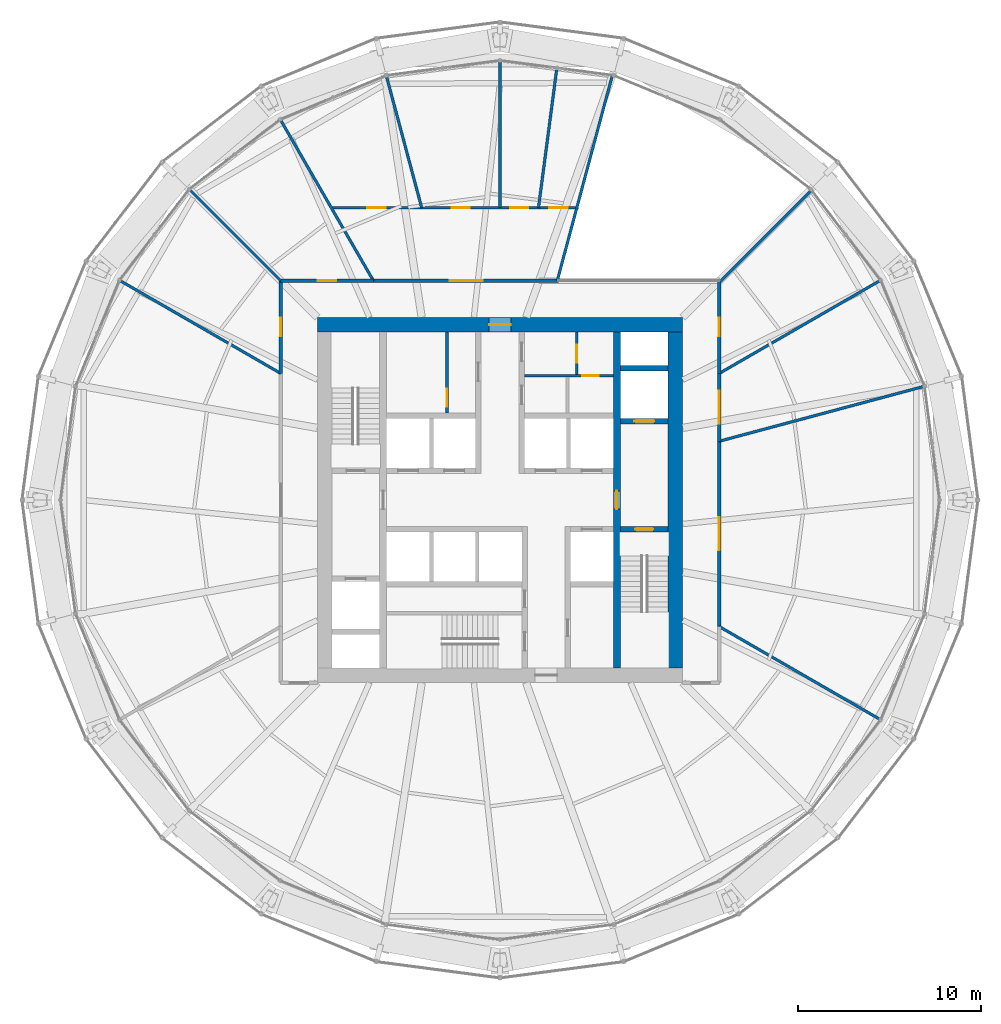
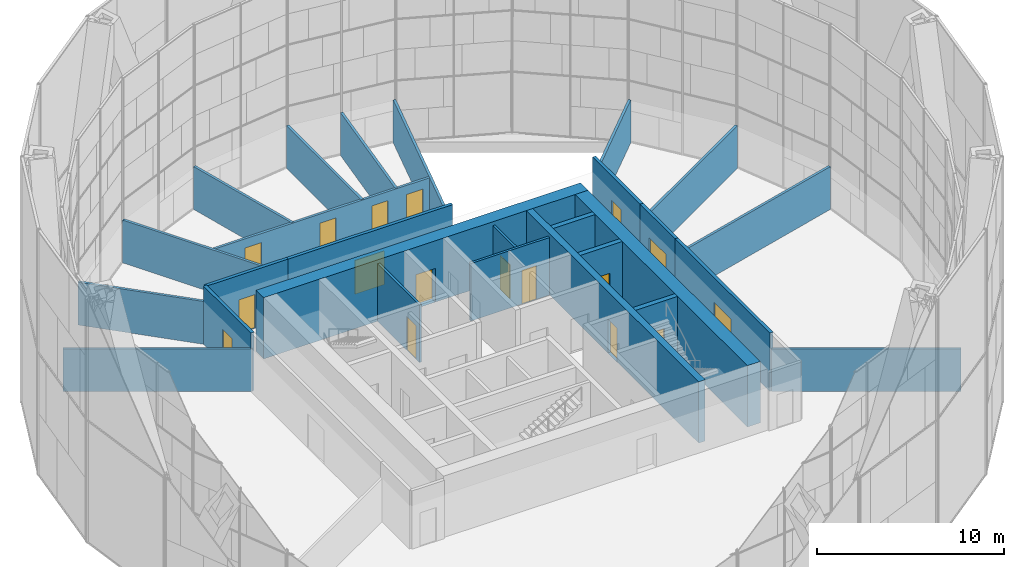
# One storey, part 24 of 26: 27 walls, 17 doors, 17 openings.
"""IFC4 building model written with IfcOpenShell, lengths in metres."""

from ifc_helpers import new_model, si_unit, direction, frame, frame_2d, origin, place, context, subcontext, project, spatial, rectangle, extrude, material, layer, layer_set, type_object, element, fill, save


model = new_model("IFC4")

# Units and contexts
model_context = context("Model", 3, precision=1e-05, world=origin(), true_north=direction((0.0, 1.0)))
body_context = subcontext(model_context, "Body", "Model", "MODEL_VIEW")
ifc_project = project(units=[si_unit("LENGTHUNIT", "METRE"), si_unit("AREAUNIT", "SQUARE_METRE"), si_unit("VOLUMEUNIT", "CUBIC_METRE"), si_unit("PLANEANGLEUNIT", "RADIAN"), si_unit("MASSUNIT", "GRAM", prefix="KILO")], contexts=[model_context])

# Site, building, storey
site_placement = place(None, origin())
site = spatial("IfcSite", under=ifc_project, at=site_placement, CompositionType="ELEMENT")
building_placement = place(site_placement, origin())
building = spatial("IfcBuilding", under=site, at=building_placement, Name="Golbaran Civic Tower", CompositionType="ELEMENT")
storey_placement = place(building_placement, frame((0.0, 0.0, 69.0)))
storey = spatial("IfcBuildingStorey", under=building, at=storey_placement, Name="L16", CompositionType="ELEMENT", Elevation=69.0)

# Wall, opening, door
ifc_material_1 = material(Name="Concrete block", Category="concrete")
ifc_layer_1 = layer(ifc_material_1, 0.14990234375, Name="Concrete block")
ifc_layer_set_1 = layer_set([ifc_layer_1], Name="Concrete block")
wall_type_1 = type_object("IfcWallType", Name="BLOCKWORK PARTITION 150", PredefinedType="PARTITIONING", material=ifc_layer_set_1)
wall_1_placement = place(storey_placement, frame((1.35009765625, 6.800048828125, 0.0), z_axis=(0.0, 0.0, 1.0), x_axis=(1.0, 0.0, 0.0)))
wall_1 = element("IfcWall", 1, at=wall_1_placement, inside=storey, type_object=wall_type_1, Name="Toilet block partition TN1 L16", PredefinedType="PARTITIONING", context=body_context, shape_type="SweptSolid", body=[
    extrude(rectangle(XDim=4.849853515625, YDim=0.14990234375, at=frame_2d((2.4248046875, 0.0))), origin(), (0.0, 0.0, 1.0), 3.75),
])
opening_1_placement = place(wall_1_placement, frame((3.14990234375, 0.0, 0.0)))
opening_1 = element("IfcOpeningElement", 2, at=opening_1_placement, cuts=wall_1, Name="Opening L16.CLN", PredefinedType="OPENING", context=body_context, shape_type="SweptSolid", body=[
    extrude(rectangle(XDim=0.89990234375, YDim=2.199951171875, at=frame_2d((0.449951171875, 1.10009765625))), frame((0.0, 0.0849609375, 0.0), z_axis=(0.0, -1.0, 0.0), x_axis=(1.0, 0.0, 0.0)), (0.0, 0.0, 1.0), 0.169921875),
])
ifc_material_2 = material(Name="Timber door set in steel frame", Category="steel")
door_type_1 = type_object("IfcDoorType", Name="RISER DOOR 900x2200", OperationType="SINGLE_SWING_LEFT", PredefinedType="DOOR", material=ifc_material_2)
door_1_placement = place(opening_1_placement, origin())
door_1 = element("IfcDoor", 3, at=door_1_placement, inside=storey, type_object=door_type_1, Name="Sanitary Supplies Store door", OperationType="SINGLE_SWING_RIGHT", OverallHeight=2.199951171875, OverallWidth=0.89990234375, PredefinedType="DOOR", context=body_context, shape_type="SweptSolid", body=[
    extrude(rectangle(XDim=0.89990234375, YDim=2.199951171875, at=frame_2d((0.449951171875, 1.10009765625))), frame((0.0, 0.02490234375, 0.0), z_axis=(0.0, -1.0, 0.0), x_axis=(1.0, 0.0, 0.0)), (0.0, 0.0, 1.0), 0.050048828125),
])
fill(opening_1, door_1)

ifc_material_3 = material(Name="Concrete C50/60", Category="concrete")
ifc_layer_2 = layer(ifc_material_3, 0.39990234375, Name="Concrete C50/60")
ifc_layer_set_2 = layer_set([ifc_layer_2], Name="Concrete C50/60")
wall_type_2 = type_object("IfcWallType", Name="CORE WALL CONCRETE 400", PredefinedType="SOLIDWALL", material=ifc_layer_set_2)
wall_2_placement = place(storey_placement, frame((6.39990234375, 9.199951171875, 0.0), z_axis=(0.0, 0.0, 1.0), x_axis=(0.0, -1.0, 0.0)))
wall_2 = element("IfcWall", 4, at=wall_2_placement, inside=storey, type_object=wall_type_2, Name="Core wall IE L16", PredefinedType="SOLIDWALL", context=body_context, shape_type="SweptSolid", body=[
    extrude(rectangle(XDim=18.39990234375, YDim=0.39990234375, at=frame_2d((9.199951171875, 0.0))), origin(), (0.0, 0.0, 1.0), 4.0),
])
opening_2_placement = place(wall_2_placement, frame((8.699951171875, 0.0, 0.0)))
opening_2 = element("IfcOpeningElement", 5, at=opening_2_placement, cuts=wall_2, Name="Opening L16.FL2", PredefinedType="OPENING", context=body_context, shape_type="SweptSolid", body=[
    extrude(rectangle(XDim=1.0, YDim=2.199951171875, at=frame_2d((0.5, 1.10009765625))), frame((0.0, 0.2099609375, 0.0), z_axis=(0.0, -1.0, 0.0), x_axis=(1.0, 0.0, 0.0)), (0.0, 0.0, 1.0), 0.419921875),
])
door_type_2 = type_object("IfcDoorType", Name="STAIR DOOR 1000x2200", OperationType="SINGLE_SWING_LEFT", PredefinedType="DOOR", material=ifc_material_2)
door_2_placement = place(opening_2_placement, origin())
door_2 = element("IfcDoor", 6, at=door_2_placement, inside=storey, type_object=door_type_2, Name="Fire-fighting lobby FL2 door", OperationType="SINGLE_SWING_RIGHT", OverallHeight=2.199951171875, OverallWidth=1.0, PredefinedType="DOOR", context=body_context, shape_type="SweptSolid", body=[
    extrude(rectangle(XDim=1.0, YDim=2.199951171875, at=frame_2d((0.5, 1.10009765625))), frame((0.0, 0.02490234375, 0.0), z_axis=(0.0, -1.0, 0.0), x_axis=(1.0, 0.0, 0.0)), (0.0, 0.0, 1.0), 0.050048828125),
])
fill(opening_2, door_2)

ifc_layer_3 = layer(ifc_material_3, 0.800048828125, Name="Concrete C50/60")
ifc_layer_set_3 = layer_set([ifc_layer_3], Name="Concrete C50/60")
wall_type_3 = type_object("IfcWallType", Name="CORE WALL CONCRETE 800", PredefinedType="SOLIDWALL", material=ifc_layer_set_3)
wall_3_placement = place(storey_placement, frame((-10.0, 9.60009765625, 0.0), z_axis=(0.0, 0.0, 1.0), x_axis=(1.0, 0.0, 0.0)))
wall_3 = element("IfcWall", 7, at=wall_3_placement, inside=storey, type_object=wall_type_3, Name="Core wall CN L16", PredefinedType="SOLIDWALL", context=body_context, shape_type="SweptSolid", body=[
    extrude(rectangle(XDim=20.0, YDim=0.800048828125, at=frame_2d((10.0, 0.0))), origin(), (0.0, 0.0, 1.0), 4.0),
])
opening_3_placement = place(wall_3_placement, frame((9.39990234375, 0.0, 0.0)))
opening_3 = element("IfcOpeningElement", 8, at=opening_3_placement, cuts=wall_3, Name="Opening L16.CN", PredefinedType="OPENING", context=body_context, shape_type="SweptSolid", body=[
    extrude(rectangle(XDim=1.199951171875, YDim=2.199951171875, at=frame_2d((0.60009765625, 1.10009765625))), frame((0.0, 0.409912109375, 0.0), z_axis=(0.0, -1.0, 0.0), x_axis=(1.0, 0.0, 0.0)), (0.0, 0.0, 1.0), 0.820068359375),
])
door_type_3 = type_object("IfcDoorType", Name="CORE DOOR 1200x2200", OperationType="DOUBLE_DOOR_SINGLE_SWING", PredefinedType="DOOR", material=ifc_material_2)
door_3_placement = place(opening_3_placement, origin())
door_3 = element("IfcDoor", 9, at=door_3_placement, inside=storey, type_object=door_type_3, Name="Core door north", OperationType="DOUBLE_DOOR_SINGLE_SWING", OverallHeight=2.199951171875, OverallWidth=1.199951171875, PredefinedType="DOOR", context=body_context, shape_type="SweptSolid", body=[
    extrude(rectangle(XDim=1.199951171875, YDim=2.199951171875, at=frame_2d((0.60009765625, 1.10009765625))), frame((0.0, 0.02490234375, 0.0), z_axis=(0.0, -1.0, 0.0), x_axis=(1.0, 0.0, 0.0)), (0.0, 0.0, 1.0), 0.050048828125),
])
fill(opening_3, door_3)

# Wall
wall_4_placement = place(storey_placement, frame((9.60009765625, -9.199951171875, 0.0), z_axis=(0.0, 0.0, 1.0), x_axis=(0.0, 1.0, 0.0)))
element("IfcWall", 10, at=wall_4_placement, inside=storey, type_object=wall_type_3, Name="Core wall CE L16", PredefinedType="SOLIDWALL", context=body_context, shape_type="SweptSolid", body=[
    extrude(rectangle(XDim=18.39990234375, YDim=0.800048828125, at=frame_2d((9.199951171875, 0.0))), origin(), (0.0, 0.0, 1.0), 4.0),
])

# Wall, opening, door
ifc_material_4 = material(Name="Gypsum board on steel studs, fire-rated", Category="steel")
ifc_layer_4 = layer(ifc_material_4, 0.199951171875, Name="Gypsum board on steel studs, fire-rated")
ifc_layer_set_4 = layer_set([ifc_layer_4], Name="Gypsum board on steel studs, fire-rated")
wall_type_4 = type_object("IfcWallType", Name="CORRIDOR WALL 200", PredefinedType="PARTITIONING", material=ifc_layer_set_4)
wall_5_placement = place(storey_placement, frame((12.0, -6.92822265625, 0.0), z_axis=(0.0, 0.0, 1.0), x_axis=(0.0, 1.0, 0.0)))
wall_5 = element("IfcWall", 11, at=wall_5_placement, inside=storey, type_object=wall_type_4, Name="Corridor wall L16", PredefinedType="PARTITIONING", context=body_context, shape_type="SweptSolid", body=[
    extrude(rectangle(XDim=10.1435546875, YDim=0.199951171875, at=frame_2d((5.07177734375, 0.0))), origin(), (0.0, 0.0, 1.0), 3.800048828125),
])
opening_4_placement = place(wall_5_placement, frame((4.171875, 0.0, 0.0)))
opening_4 = element("IfcOpeningElement", 12, at=opening_4_placement, cuts=wall_5, Name="Opening L16.06", PredefinedType="OPENING", context=body_context, shape_type="SweptSolid", body=[
    extrude(rectangle(XDim=1.800048828125, YDim=2.199951171875, at=frame_2d((0.89990234375, 1.10009765625))), frame((0.0, 0.10986328125, 0.0), z_axis=(0.0, -1.0, 0.0), x_axis=(1.0, 0.0, 0.0)), (0.0, 0.0, 1.0), 0.219970703125),
])
door_type_4 = type_object("IfcDoorType", Name="OFFICE DOUBLE DOOR 1800x2200", OperationType="DOUBLE_DOOR_SINGLE_SWING", PredefinedType="DOOR", material=ifc_material_2)
door_4_placement = place(opening_4_placement, origin())
door_4 = element("IfcDoor", 13, at=door_4_placement, inside=storey, type_object=door_type_4, Name="Open Office door L16", OperationType="DOUBLE_DOOR_SINGLE_SWING", OverallHeight=2.199951171875, OverallWidth=1.800048828125, PredefinedType="DOOR", context=body_context, shape_type="SweptSolid", body=[
    extrude(rectangle(XDim=1.800048828125, YDim=2.199951171875, at=frame_2d((0.89990234375, 1.10009765625))), frame((0.0, 0.02490234375, 0.0), z_axis=(0.0, -1.0, 0.0), x_axis=(1.0, 0.0, 0.0)), (0.0, 0.0, 1.0), 0.050048828125),
])
fill(opening_4, door_4)

wall_6_placement = place(storey_placement, frame((12.0, 3.21533203125, 0.0), z_axis=(0.0, 0.0, 1.0), x_axis=(0.0, 1.0, 0.0)))
wall_6 = element("IfcWall", 14, at=wall_6_placement, inside=storey, type_object=wall_type_4, Name="Corridor wall L16", PredefinedType="PARTITIONING", context=body_context, shape_type="SweptSolid", body=[
    extrude(rectangle(XDim=3.712890625, YDim=0.199951171875, at=frame_2d((1.8564453125, 0.0))), origin(), (0.0, 0.0, 1.0), 3.800048828125),
])
opening_5_placement = place(wall_6_placement, frame((0.956298828125, 0.0, 0.0)))
opening_5 = element("IfcOpeningElement", 15, at=opening_5_placement, cuts=wall_6, Name="Opening L16.07", PredefinedType="OPENING", context=body_context, shape_type="SweptSolid", body=[
    extrude(rectangle(XDim=1.800048828125, YDim=2.199951171875, at=frame_2d((0.89990234375, 1.10009765625))), frame((0.0, 0.10986328125, 0.0), z_axis=(0.0, -1.0, 0.0), x_axis=(1.0, 0.0, 0.0)), (0.0, 0.0, 1.0), 0.219970703125),
])
door_5_placement = place(opening_5_placement, origin())
door_5 = element("IfcDoor", 16, at=door_5_placement, inside=storey, type_object=door_type_4, Name="Open Office door L16", OperationType="DOUBLE_DOOR_SINGLE_SWING", OverallHeight=2.199951171875, OverallWidth=1.800048828125, PredefinedType="DOOR", context=body_context, shape_type="SweptSolid", body=[
    extrude(rectangle(XDim=1.800048828125, YDim=2.199951171875, at=frame_2d((0.89990234375, 1.10009765625))), frame((0.0, 0.02490234375, 0.0), z_axis=(0.0, -1.0, 0.0), x_axis=(1.0, 0.0, 0.0)), (0.0, 0.0, 1.0), 0.050048828125),
])
fill(opening_5, door_5)

wall_7_placement = place(storey_placement, frame((12.0, 6.92822265625, 0.0), z_axis=(0.0, 0.0, 1.0), x_axis=(0.0, 1.0, 0.0)))
wall_7 = element("IfcWall", 17, at=wall_7_placement, inside=storey, type_object=wall_type_4, Name="Corridor wall L16", PredefinedType="PARTITIONING", context=body_context, shape_type="SweptSolid", body=[
    extrude(rectangle(XDim=5.07177734375, YDim=0.199951171875, at=frame_2d((2.535888671875, 0.0))), origin(), (0.0, 0.0, 1.0), 3.800048828125),
])
opening_6_placement = place(wall_7_placement, frame((2.035888671875, 0.0, 0.0)))
opening_6 = element("IfcOpeningElement", 18, at=opening_6_placement, cuts=wall_7, Name="Opening L16.08", PredefinedType="OPENING", context=body_context, shape_type="SweptSolid", body=[
    extrude(rectangle(XDim=1.0, YDim=2.199951171875, at=frame_2d((0.5, 1.10009765625))), frame((0.0, 0.10986328125, 0.0), z_axis=(0.0, -1.0, 0.0), x_axis=(1.0, 0.0, 0.0)), (0.0, 0.0, 1.0), 0.219970703125),
])
door_type_5 = type_object("IfcDoorType", Name="OFFICE DOOR 1000x2200", OperationType="SINGLE_SWING_LEFT", PredefinedType="DOOR", material=ifc_material_2)
door_6_placement = place(opening_6_placement, origin())
door_6 = element("IfcDoor", 19, at=door_6_placement, inside=storey, type_object=door_type_5, Name="Pantry door L16", OperationType="SINGLE_SWING_LEFT", OverallHeight=2.199951171875, OverallWidth=1.0, PredefinedType="DOOR", context=body_context, shape_type="SweptSolid", body=[
    extrude(rectangle(XDim=1.0, YDim=2.199951171875, at=frame_2d((0.5, 1.10009765625))), frame((0.0, 0.02490234375, 0.0), z_axis=(0.0, -1.0, 0.0), x_axis=(1.0, 0.0, 0.0)), (0.0, 0.0, 1.0), 0.050048828125),
])
fill(opening_6, door_6)

wall_8_placement = place(storey_placement, frame((3.21533203125, 12.0, 0.0), z_axis=(0.0, 0.0, 1.0), x_axis=(-1.0, 0.0, 0.0)))
wall_8 = element("IfcWall", 20, at=wall_8_placement, inside=storey, type_object=wall_type_4, Name="Corridor wall L16", PredefinedType="PARTITIONING", context=body_context, shape_type="SweptSolid", body=[
    extrude(rectangle(XDim=10.1435546875, YDim=0.199951171875, at=frame_2d((5.07177734375, 0.0))), origin(), (0.0, 0.0, 1.0), 3.800048828125),
])
opening_7_placement = place(wall_8_placement, frame((4.171875, 0.0, 0.0)))
opening_7 = element("IfcOpeningElement", 21, at=opening_7_placement, cuts=wall_8, Name="Opening L16.09", PredefinedType="OPENING", context=body_context, shape_type="SweptSolid", body=[
    extrude(rectangle(XDim=1.800048828125, YDim=2.199951171875, at=frame_2d((0.89990234375, 1.10009765625))), frame((0.0, 0.10986328125, 0.0), z_axis=(0.0, -1.0, 0.0), x_axis=(1.0, 0.0, 0.0)), (0.0, 0.0, 1.0), 0.219970703125),
])
door_7_placement = place(opening_7_placement, origin())
door_7 = element("IfcDoor", 22, at=door_7_placement, inside=storey, type_object=door_type_4, Name="Secretariat door L16", OperationType="DOUBLE_DOOR_SINGLE_SWING", OverallHeight=2.199951171875, OverallWidth=1.800048828125, PredefinedType="DOOR", context=body_context, shape_type="SweptSolid", body=[
    extrude(rectangle(XDim=1.800048828125, YDim=2.199951171875, at=frame_2d((0.89990234375, 1.10009765625))), frame((0.0, 0.02490234375, 0.0), z_axis=(0.0, -1.0, 0.0), x_axis=(1.0, 0.0, 0.0)), (0.0, 0.0, 1.0), 0.050048828125),
])
fill(opening_7, door_7)

wall_9_placement = place(storey_placement, frame((-6.92822265625, 12.0, 0.0), z_axis=(0.0, 0.0, 1.0), x_axis=(-1.0, 0.0, 0.0)))
wall_9 = element("IfcWall", 23, at=wall_9_placement, inside=storey, type_object=wall_type_4, Name="Corridor wall L16", PredefinedType="PARTITIONING", context=body_context, shape_type="SweptSolid", body=[
    extrude(rectangle(XDim=5.07177734375, YDim=0.199951171875, at=frame_2d((2.535888671875, 0.0))), origin(), (0.0, 0.0, 1.0), 3.800048828125),
])
opening_8_placement = place(wall_9_placement, frame((2.035888671875, 0.0, 0.0)))
opening_8 = element("IfcOpeningElement", 24, at=opening_8_placement, cuts=wall_9, Name="Opening L16.10", PredefinedType="OPENING", context=body_context, shape_type="SweptSolid", body=[
    extrude(rectangle(XDim=1.0, YDim=2.199951171875, at=frame_2d((0.5, 1.10009765625))), frame((0.0, 0.10986328125, 0.0), z_axis=(0.0, -1.0, 0.0), x_axis=(1.0, 0.0, 0.0)), (0.0, 0.0, 1.0), 0.219970703125),
])
door_8_placement = place(opening_8_placement, origin())
door_8 = element("IfcDoor", 25, at=door_8_placement, inside=storey, type_object=door_type_5, Name="Quiet Room door L16", OperationType="SINGLE_SWING_RIGHT", OverallHeight=2.199951171875, OverallWidth=1.0, PredefinedType="DOOR", context=body_context, shape_type="SweptSolid", body=[
    extrude(rectangle(XDim=1.0, YDim=2.199951171875, at=frame_2d((0.5, 1.10009765625))), frame((0.0, 0.02490234375, 0.0), z_axis=(0.0, -1.0, 0.0), x_axis=(1.0, 0.0, 0.0)), (0.0, 0.0, 1.0), 0.050048828125),
])
fill(opening_8, door_8)

wall_10_placement = place(storey_placement, frame((-12.0, 12.0, 0.0), z_axis=(0.0, 0.0, 1.0), x_axis=(0.0, -1.0, 0.0)))
wall_10 = element("IfcWall", 26, at=wall_10_placement, inside=storey, type_object=wall_type_4, Name="Corridor wall L16", PredefinedType="PARTITIONING", context=body_context, shape_type="SweptSolid", body=[
    extrude(rectangle(XDim=5.07177734375, YDim=0.199951171875, at=frame_2d((2.535888671875, 0.0))), origin(), (0.0, 0.0, 1.0), 3.800048828125),
])
opening_9_placement = place(wall_10_placement, frame((2.035888671875, 0.0, 0.0)))
opening_9 = element("IfcOpeningElement", 27, at=opening_9_placement, cuts=wall_10, Name="Opening L16.11", PredefinedType="OPENING", context=body_context, shape_type="SweptSolid", body=[
    extrude(rectangle(XDim=1.0, YDim=2.199951171875, at=frame_2d((0.5, 1.10009765625))), frame((0.0, 0.10986328125, 0.0), z_axis=(0.0, -1.0, 0.0), x_axis=(1.0, 0.0, 0.0)), (0.0, 0.0, 1.0), 0.219970703125),
])
door_9_placement = place(opening_9_placement, origin())
door_9 = element("IfcDoor", 28, at=door_9_placement, inside=storey, type_object=door_type_5, Name="Meeting Room door L16", OperationType="SINGLE_SWING_RIGHT", OverallHeight=2.199951171875, OverallWidth=1.0, PredefinedType="DOOR", context=body_context, shape_type="SweptSolid", body=[
    extrude(rectangle(XDim=1.0, YDim=2.199951171875, at=frame_2d((0.5, 1.10009765625))), frame((0.0, 0.02490234375, 0.0), z_axis=(0.0, -1.0, 0.0), x_axis=(1.0, 0.0, 0.0)), (0.0, 0.0, 1.0), 0.050048828125),
])
fill(opening_9, door_9)

# Walls
ifc_material_5 = material(Name="Gypsum board on steel studs", Category="steel")
ifc_layer_5 = layer(ifc_material_5, 0.14990234375, Name="Gypsum board on steel studs")
ifc_layer_set_5 = layer_set([ifc_layer_5], Name="Gypsum board on steel studs")
wall_type_5 = type_object("IfcWallType", Name="OFFICE PARTITION 150", PredefinedType="PARTITIONING", material=ifc_layer_set_5)
wall_11_placement = place(storey_placement, frame((12.0, -6.92822265625, 0.0), z_axis=(0.0, 0.0, 1.0), x_axis=(0.866023860286, -0.500002673408, 0.0)))
element("IfcWall", 29, at=wall_11_placement, inside=storey, type_object=wall_type_5, Name="Partition 330 L16", PredefinedType="PARTITIONING", context=body_context, shape_type="SweptSolid", body=[
    extrude(rectangle(XDim=10.10595703125, YDim=0.14990234375, at=frame_2d((5.052978515625, 0.0))), origin(), (0.0, 0.0, 1.0), 2.7900390625),
])
wall_12_placement = place(storey_placement, frame((12.0, 3.21533203125, 0.0), z_axis=(0.0, 0.0, 1.0), x_axis=(0.96592415734, 0.258825273624, 0.0)))
element("IfcWall", 30, at=wall_12_placement, inside=storey, type_object=wall_type_5, Name="Partition 15 L16", PredefinedType="PARTITIONING", context=body_context, shape_type="SweptSolid", body=[
    extrude(rectangle(XDim=11.5390625, YDim=0.14990234375, at=frame_2d((5.76953125, 0.0))), origin(), (0.0, 0.0, 1.0), 2.7900390625),
])
wall_13_placement = place(storey_placement, frame((12.0, 6.92822265625, 0.0), z_axis=(0.0, 0.0, 1.0), x_axis=(0.866023860286, 0.500002673408, 0.0)))
element("IfcWall", 31, at=wall_13_placement, inside=storey, type_object=wall_type_5, Name="Partition 30 L16", PredefinedType="PARTITIONING", context=body_context, shape_type="SweptSolid", body=[
    extrude(rectangle(XDim=10.10595703125, YDim=0.14990234375, at=frame_2d((5.052978515625, 0.0))), origin(), (0.0, 0.0, 1.0), 2.7900390625),
])
wall_14_placement = place(storey_placement, frame((12.052978515625, 11.947021484375, 0.0), z_axis=(0.0, 0.0, 1.0), x_axis=(0.707106781187, 0.707106781187, 0.0)))
element("IfcWall", 32, at=wall_14_placement, inside=storey, type_object=wall_type_5, Name="Partition 45 L16", PredefinedType="PARTITIONING", context=body_context, shape_type="SweptSolid", body=[
    extrude(rectangle(XDim=6.99169921875, YDim=0.14990234375, at=frame_2d((3.495849609375, 0.0))), origin(), (0.0, 0.0, 1.0), 2.7900390625),
])
wall_15_placement = place(storey_placement, frame((3.14306640625, 12.01953125, 0.0), z_axis=(0.0, 0.0, 1.0), x_axis=(0.258810822254, 0.965928029557, 0.0)))
element("IfcWall", 33, at=wall_15_placement, inside=storey, type_object=wall_type_5, Name="Partition 75 L16", PredefinedType="PARTITIONING", context=body_context, shape_type="SweptSolid", body=[
    extrude(rectangle(XDim=11.53857421875, YDim=0.14990234375, at=frame_2d((5.769287109375, 0.0))), origin(), (0.0, 0.0, 1.0), 2.7900390625),
])
wall_16_placement = place(storey_placement, frame((-6.92822265625, 12.0, 0.0), z_axis=(0.0, 0.0, 1.0), x_axis=(-0.500002673408, 0.866023860286, 0.0)))
element("IfcWall", 34, at=wall_16_placement, inside=storey, type_object=wall_type_5, Name="Partition 120 L16", PredefinedType="PARTITIONING", context=body_context, shape_type="SweptSolid", body=[
    extrude(rectangle(XDim=10.10595703125, YDim=0.14990234375, at=frame_2d((5.052978515625, 0.0))), origin(), (0.0, 0.0, 1.0), 2.7900390625),
])
wall_17_placement = place(storey_placement, frame((-12.0, 12.0, 0.0), z_axis=(0.0, 0.0, 1.0), x_axis=(-0.707106781187, 0.707106781187, 0.0)))
element("IfcWall", 35, at=wall_17_placement, inside=storey, type_object=wall_type_5, Name="Partition 135 L16", PredefinedType="PARTITIONING", context=body_context, shape_type="SweptSolid", body=[
    extrude(rectangle(XDim=6.99169921875, YDim=0.14990234375, at=frame_2d((3.495849609375, 0.0))), origin(), (0.0, 0.0, 1.0), 2.7900390625),
])
wall_18_placement = place(storey_placement, frame((-12.0, 6.92822265625, 0.0), z_axis=(0.0, 0.0, 1.0), x_axis=(-0.866023860286, 0.500002673408, 0.0)))
element("IfcWall", 36, at=wall_18_placement, inside=storey, type_object=wall_type_5, Name="Partition 150 L16", PredefinedType="PARTITIONING", context=body_context, shape_type="SweptSolid", body=[
    extrude(rectangle(XDim=10.10595703125, YDim=0.14990234375, at=frame_2d((5.052978515625, 0.0))), origin(), (0.0, 0.0, 1.0), 2.7900390625),
])

# Wall, openings, doors
wall_19_placement = place(storey_placement, frame((4.287109375, 16.0, 0.0), z_axis=(0.0, 0.0, 1.0), x_axis=(-1.0, 0.0, 0.0)))
wall_19 = element("IfcWall", 37, at=wall_19_placement, inside=storey, type_object=wall_type_5, Name="Suite partition L16", PredefinedType="PARTITIONING", context=body_context, shape_type="SweptSolid", body=[
    extrude(rectangle(XDim=13.524658203125, YDim=0.14990234375, at=frame_2d((6.76220703125, 0.0))), origin(), (0.0, 0.0, 1.0), 2.7900390625),
])
opening_10_placement = place(wall_19_placement, frame((0.59033203125, 0.0, 0.0)))
opening_10 = element("IfcOpeningElement", 38, at=opening_10_placement, cuts=wall_19, Name="Opening L16.01", PredefinedType="OPENING", context=body_context, shape_type="SweptSolid", body=[
    extrude(rectangle(XDim=1.0, YDim=2.199951171875, at=frame_2d((0.5, 1.10009765625))), frame((0.0, 0.0849609375, 0.0), z_axis=(0.0, -1.0, 0.0), x_axis=(1.0, 0.0, 0.0)), (0.0, 0.0, 1.0), 0.169921875),
])
opening_11_placement = place(wall_19_placement, frame((2.73388671875, 0.0, 0.0)))
opening_11 = element("IfcOpeningElement", 39, at=opening_11_placement, cuts=wall_19, Name="Opening L16.02", PredefinedType="OPENING", context=body_context, shape_type="SweptSolid", body=[
    extrude(rectangle(XDim=1.0, YDim=2.199951171875, at=frame_2d((0.5, 1.10009765625))), frame((0.0, 0.0849609375, 0.0), z_axis=(0.0, -1.0, 0.0), x_axis=(1.0, 0.0, 0.0)), (0.0, 0.0, 1.0), 0.169921875),
])
opening_12_placement = place(wall_19_placement, frame((5.9306640625, 0.0, 0.0)))
opening_12 = element("IfcOpeningElement", 40, at=opening_12_placement, cuts=wall_19, Name="Opening L16.03", PredefinedType="OPENING", context=body_context, shape_type="SweptSolid", body=[
    extrude(rectangle(XDim=1.0, YDim=2.199951171875, at=frame_2d((0.5, 1.10009765625))), frame((0.0, 0.0849609375, 0.0), z_axis=(0.0, -1.0, 0.0), x_axis=(1.0, 0.0, 0.0)), (0.0, 0.0, 1.0), 0.169921875),
])
opening_13_placement = place(wall_19_placement, frame((10.549560546875, 0.0, 0.0)))
opening_13 = element("IfcOpeningElement", 41, at=opening_13_placement, cuts=wall_19, Name="Opening L16.04", PredefinedType="OPENING", context=body_context, shape_type="SweptSolid", body=[
    extrude(rectangle(XDim=1.0, YDim=2.199951171875, at=frame_2d((0.5, 1.10009765625))), frame((0.0, 0.0849609375, 0.0), z_axis=(0.0, -1.0, 0.0), x_axis=(1.0, 0.0, 0.0)), (0.0, 0.0, 1.0), 0.169921875),
])
door_10_placement = place(opening_10_placement, origin())
door_10 = element("IfcDoor", 42, at=door_10_placement, inside=storey, type_object=door_type_5, Name="Office door L16", OperationType="SINGLE_SWING_LEFT", OverallHeight=2.199951171875, OverallWidth=1.0, PredefinedType="DOOR", context=body_context, shape_type="SweptSolid", body=[
    extrude(rectangle(XDim=1.0, YDim=2.199951171875, at=frame_2d((0.5, 1.10009765625))), frame((0.0, 0.02490234375, 0.0), z_axis=(0.0, -1.0, 0.0), x_axis=(1.0, 0.0, 0.0)), (0.0, 0.0, 1.0), 0.050048828125),
])
fill(opening_10, door_10)
door_11_placement = place(opening_11_placement, origin())
door_11 = element("IfcDoor", 43, at=door_11_placement, inside=storey, type_object=door_type_5, Name="Office door L16", OperationType="SINGLE_SWING_LEFT", OverallHeight=2.199951171875, OverallWidth=1.0, PredefinedType="DOOR", context=body_context, shape_type="SweptSolid", body=[
    extrude(rectangle(XDim=1.0, YDim=2.199951171875, at=frame_2d((0.5, 1.10009765625))), frame((0.0, 0.02490234375, 0.0), z_axis=(0.0, -1.0, 0.0), x_axis=(1.0, 0.0, 0.0)), (0.0, 0.0, 1.0), 0.050048828125),
])
fill(opening_11, door_11)
door_12_placement = place(opening_12_placement, origin())
door_12 = element("IfcDoor", 44, at=door_12_placement, inside=storey, type_object=door_type_5, Name="Director's Office door L16", OperationType="SINGLE_SWING_LEFT", OverallHeight=2.199951171875, OverallWidth=1.0, PredefinedType="DOOR", context=body_context, shape_type="SweptSolid", body=[
    extrude(rectangle(XDim=1.0, YDim=2.199951171875, at=frame_2d((0.5, 1.10009765625))), frame((0.0, 0.02490234375, 0.0), z_axis=(0.0, -1.0, 0.0), x_axis=(1.0, 0.0, 0.0)), (0.0, 0.0, 1.0), 0.050048828125),
])
fill(opening_12, door_12)
door_13_placement = place(opening_13_placement, origin())
door_13 = element("IfcDoor", 45, at=door_13_placement, inside=storey, type_object=door_type_5, Name="Office door L16", OperationType="SINGLE_SWING_RIGHT", OverallHeight=2.199951171875, OverallWidth=1.0, PredefinedType="DOOR", context=body_context, shape_type="SweptSolid", body=[
    extrude(rectangle(XDim=1.0, YDim=2.199951171875, at=frame_2d((0.5, 1.10009765625))), frame((0.0, 0.02490234375, 0.0), z_axis=(0.0, -1.0, 0.0), x_axis=(1.0, 0.0, 0.0)), (0.0, 0.0, 1.0), 0.050048828125),
])
fill(opening_13, door_13)

# Walls
wall_20_placement = place(storey_placement, frame((2.1064453125, 16.0, 0.0), z_axis=(0.0, 0.0, 1.0), x_axis=(0.130511705759, 0.991446768445, 0.0)))
element("IfcWall", 46, at=wall_20_placement, inside=storey, type_object=wall_type_5, Name="Partition 82.5 L16", PredefinedType="PARTITIONING", context=body_context, shape_type="SweptSolid", body=[
    extrude(rectangle(XDim=7.619140625, YDim=0.14990234375, at=frame_2d((3.8095703125, 0.0))), origin(), (0.0, 0.0, 1.0), 2.7900390625),
])
wall_21_placement = place(storey_placement, frame((0.0, 16.0, 0.0), z_axis=(0.0, 0.0, 1.0), x_axis=(0.0, 1.0, 0.0)))
element("IfcWall", 47, at=wall_21_placement, inside=storey, type_object=wall_type_5, Name="Partition 90 L16", PredefinedType="PARTITIONING", context=body_context, shape_type="SweptSolid", body=[
    extrude(rectangle(XDim=7.962158203125, YDim=0.14990234375, at=frame_2d((3.98095703125, 0.0))), origin(), (0.0, 0.0, 1.0), 2.7900390625),
])
wall_22_placement = place(storey_placement, frame((-4.287109375, 16.0, 0.0), z_axis=(0.0, 0.0, 1.0), x_axis=(-0.258831210147, 0.965922566593, 0.0)))
element("IfcWall", 48, at=wall_22_placement, inside=storey, type_object=wall_type_5, Name="Partition 105 L16", PredefinedType="PARTITIONING", context=body_context, shape_type="SweptSolid", body=[
    extrude(rectangle(XDim=7.39794921875, YDim=0.14990234375, at=frame_2d((3.698974609375, 0.0))), origin(), (0.0, 0.0, 1.0), 2.7900390625),
])

# Wall, opening, door
ifc_layer_6 = layer(ifc_material_3, 0.300048828125, Name="Concrete C50/60")
ifc_layer_set_6 = layer_set([ifc_layer_6], Name="Concrete C50/60")
wall_type_6 = type_object("IfcWallType", Name="SHAFT WALL CONCRETE 300", PredefinedType="SOLIDWALL", material=ifc_layer_set_6)
wall_23_placement = place(storey_placement, frame((6.60009765625, -1.60009765625, 0.0), z_axis=(0.0, 0.0, 1.0), x_axis=(1.0, 0.0, 0.0)))
wall_23 = element("IfcWall", 49, at=wall_23_placement, inside=storey, type_object=wall_type_6, Name="Core wall XE1 L16", PredefinedType="SOLIDWALL", context=body_context, shape_type="SweptSolid", body=[
    extrude(rectangle(XDim=2.599853515625, YDim=0.300048828125, at=frame_2d((1.2998046875, 0.0))), origin(), (0.0, 0.0, 1.0), 4.0),
])
opening_14_placement = place(wall_23_placement, frame((0.800048828125, 0.0, 0.0)))
opening_14 = element("IfcOpeningElement", 50, at=opening_14_placement, cuts=wall_23, Name="Opening L16.S2", PredefinedType="OPENING", context=body_context, shape_type="SweptSolid", body=[
    extrude(rectangle(XDim=1.0, YDim=2.199951171875, at=frame_2d((0.5, 1.10009765625))), frame((0.0, 0.159912109375, 0.0), z_axis=(0.0, -1.0, 0.0), x_axis=(1.0, 0.0, 0.0)), (0.0, 0.0, 1.0), 0.320068359375),
])
door_14_placement = place(opening_14_placement, origin())
door_14 = element("IfcDoor", 51, at=door_14_placement, inside=storey, type_object=door_type_2, Name="Stair S2 door", OperationType="SINGLE_SWING_LEFT", OverallHeight=2.199951171875, OverallWidth=1.0, PredefinedType="DOOR", context=body_context, shape_type="SweptSolid", body=[
    extrude(rectangle(XDim=1.0, YDim=2.199951171875, at=frame_2d((0.5, 1.10009765625))), frame((0.0, 0.02490234375, 0.0), z_axis=(0.0, -1.0, 0.0), x_axis=(1.0, 0.0, 0.0)), (0.0, 0.0, 1.0), 0.050048828125),
])
fill(opening_14, door_14)

wall_24_placement = place(storey_placement, frame((6.60009765625, 4.300048828125, 0.0), z_axis=(0.0, 0.0, 1.0), x_axis=(1.0, 0.0, 0.0)))
wall_24 = element("IfcWall", 52, at=wall_24_placement, inside=storey, type_object=wall_type_6, Name="Core wall XE2 L16", PredefinedType="SOLIDWALL", context=body_context, shape_type="SweptSolid", body=[
    extrude(rectangle(XDim=2.599853515625, YDim=0.300048828125, at=frame_2d((1.2998046875, 0.0))), origin(), (0.0, 0.0, 1.0), 4.0),
])
opening_15_placement = place(wall_24_placement, frame((0.75, 0.0, 0.0)))
opening_15 = element("IfcOpeningElement", 53, at=opening_15_placement, cuts=wall_24, Name="Opening L16.LD-F2", PredefinedType="OPENING", context=body_context, shape_type="SweptSolid", body=[
    extrude(rectangle(XDim=1.10009765625, YDim=2.199951171875, at=frame_2d((0.550048828125, 1.10009765625))), frame((0.0, 0.159912109375, 0.0), z_axis=(0.0, -1.0, 0.0), x_axis=(1.0, 0.0, 0.0)), (0.0, 0.0, 1.0), 0.320068359375),
])
ifc_material_6 = material(Name="Stainless steel", Category="steel")
door_type_6 = type_object("IfcDoorType", Name="LIFT LANDING DOOR 1100x2200", OperationType="SLIDING_TO_LEFT", PredefinedType="DOOR", material=ifc_material_6)
door_15_placement = place(opening_15_placement, origin())
door_15 = element("IfcDoor", 54, at=door_15_placement, inside=storey, type_object=door_type_6, Name="Lift landing door F2", OperationType="SLIDING_TO_LEFT", OverallHeight=2.199951171875, OverallWidth=1.10009765625, PredefinedType="DOOR", context=body_context, shape_type="SweptSolid", body=[
    extrude(rectangle(XDim=1.10009765625, YDim=2.199951171875, at=frame_2d((0.550048828125, 1.10009765625))), frame((0.0, 0.02490234375, 0.0), z_axis=(0.0, -1.0, 0.0), x_axis=(1.0, 0.0, 0.0)), (0.0, 0.0, 1.0), 0.050048828125),
])
fill(opening_15, door_15)

# Wall
wall_25_placement = place(storey_placement, frame((6.60009765625, 7.199951171875, 0.0), z_axis=(0.0, 0.0, 1.0), x_axis=(1.0, 0.0, 0.0)))
element("IfcWall", 55, at=wall_25_placement, inside=storey, type_object=wall_type_6, Name="Core wall XE3 L16", PredefinedType="SOLIDWALL", context=body_context, shape_type="SweptSolid", body=[
    extrude(rectangle(XDim=2.599853515625, YDim=0.300048828125, at=frame_2d((1.2998046875, 0.0))), origin(), (0.0, 0.0, 1.0), 4.0),
])

# Wall, opening, door
ifc_material_7 = material(Name="Moisture-resistant gypsum board on steel studs", Category="steel")
ifc_layer_7 = layer(ifc_material_7, 0.14990234375, Name="Moisture-resistant gypsum board on steel studs")
ifc_layer_set_7 = layer_set([ifc_layer_7], Name="Moisture-resistant gypsum board on steel studs")
wall_type_7 = type_object("IfcWallType", Name="TOILET BLOCK PARTITION 150", PredefinedType="PARTITIONING", material=ifc_layer_set_7)
wall_26_placement = place(storey_placement, frame((4.199951171875, 6.875, 0.0), z_axis=(0.0, 0.0, 1.0), x_axis=(0.0, 1.0, 0.0)))
wall_26 = element("IfcWall", 56, at=wall_26_placement, inside=storey, type_object=wall_type_7, Name="Toilet block partition TN3 L16", PredefinedType="PARTITIONING", context=body_context, shape_type="SweptSolid", body=[
    extrude(rectangle(XDim=2.324951171875, YDim=0.14990234375, at=frame_2d((1.16259765625, 0.0))), origin(), (0.0, 0.0, 1.0), 3.75),
])
opening_16_placement = place(wall_26_placement, frame((0.625, 0.0, 0.0)))
opening_16 = element("IfcOpeningElement", 57, at=opening_16_placement, cuts=wall_26, Name="Opening L16.05", PredefinedType="OPENING", context=body_context, shape_type="SweptSolid", body=[
    extrude(rectangle(XDim=1.0, YDim=2.199951171875, at=frame_2d((0.5, 1.10009765625))), frame((0.0, 0.0849609375, 0.0), z_axis=(0.0, -1.0, 0.0), x_axis=(1.0, 0.0, 0.0)), (0.0, 0.0, 1.0), 0.169921875),
])
door_type_7 = type_object("IfcDoorType", Name="TOILET DOOR 1000x2200", OperationType="SINGLE_SWING_LEFT", PredefinedType="DOOR", material=ifc_material_2)
door_16_placement = place(opening_16_placement, origin())
door_16 = element("IfcDoor", 58, at=door_16_placement, inside=storey, type_object=door_type_7, Name="Parents' room door", OperationType="SINGLE_SWING_LEFT", OverallHeight=2.199951171875, OverallWidth=1.0, PredefinedType="DOOR", context=body_context, shape_type="SweptSolid", body=[
    extrude(rectangle(XDim=1.0, YDim=2.199951171875, at=frame_2d((0.5, 1.10009765625))), frame((0.0, 0.02490234375, 0.0), z_axis=(0.0, -1.0, 0.0), x_axis=(1.0, 0.0, 0.0)), (0.0, 0.0, 1.0), 0.050048828125),
])
fill(opening_16, door_16)

wall_27_placement = place(storey_placement, frame((-2.89990234375, 4.75, 0.0), z_axis=(0.0, 0.0, 1.0), x_axis=(0.0, 1.0, 0.0)))
wall_27 = element("IfcWall", 59, at=wall_27_placement, inside=storey, type_object=wall_type_7, Name="Toilet block partition MWL L16", PredefinedType="PARTITIONING", context=body_context, shape_type="SweptSolid", body=[
    extrude(rectangle(XDim=4.449951171875, YDim=0.14990234375, at=frame_2d((2.22509765625, 0.0))), origin(), (0.0, 0.0, 1.0), 3.75),
])
opening_17_placement = place(wall_27_placement, frame((0.35009765625, 0.0, 0.0)))
opening_17 = element("IfcOpeningElement", 60, at=opening_17_placement, cuts=wall_27, Name="Opening L16.13", PredefinedType="OPENING", context=body_context, shape_type="SweptSolid", body=[
    extrude(rectangle(XDim=1.0, YDim=2.199951171875, at=frame_2d((0.5, 1.10009765625))), frame((0.0, 0.0849609375, 0.0), z_axis=(0.0, -1.0, 0.0), x_axis=(1.0, 0.0, 0.0)), (0.0, 0.0, 1.0), 0.169921875),
])
door_17_placement = place(opening_17_placement, origin())
door_17 = element("IfcDoor", 61, at=door_17_placement, inside=storey, type_object=door_type_7, Name="Male WC door", OperationType="SINGLE_SWING_LEFT", OverallHeight=2.199951171875, OverallWidth=1.0, PredefinedType="DOOR", context=body_context, shape_type="SweptSolid", body=[
    extrude(rectangle(XDim=1.0, YDim=2.199951171875, at=frame_2d((0.5, 1.10009765625))), frame((0.0, 0.02490234375, 0.0), z_axis=(0.0, -1.0, 0.0), x_axis=(1.0, 0.0, 0.0)), (0.0, 0.0, 1.0), 0.050048828125),
])
fill(opening_17, door_17)

save(model, "model.ifc")
